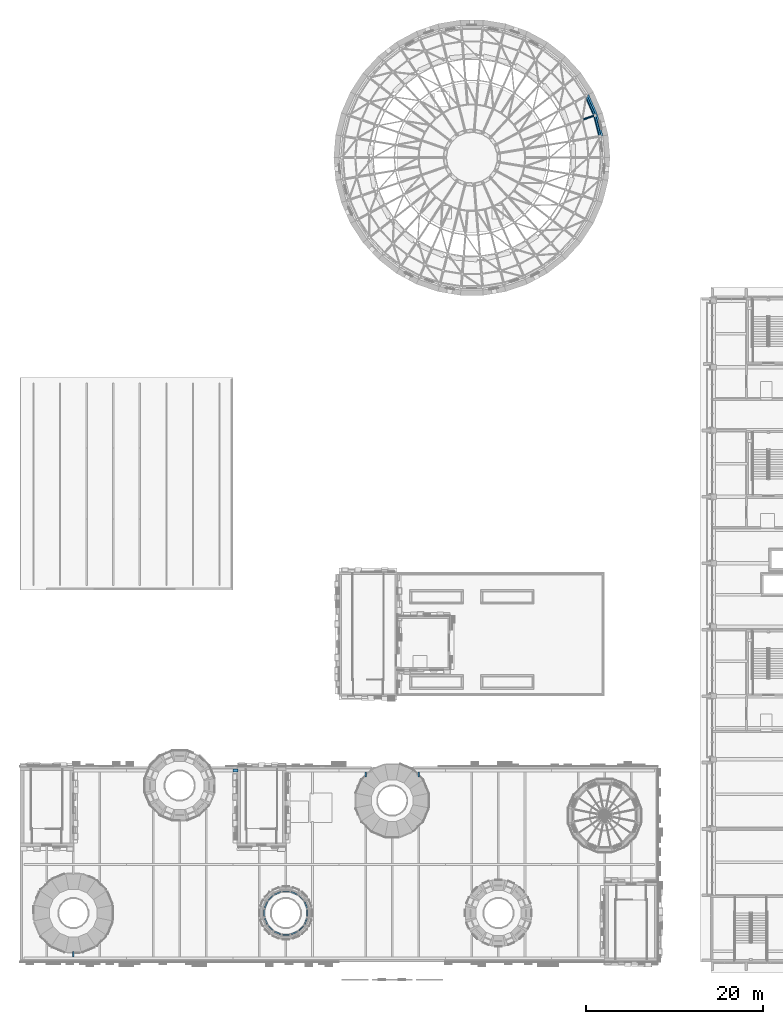
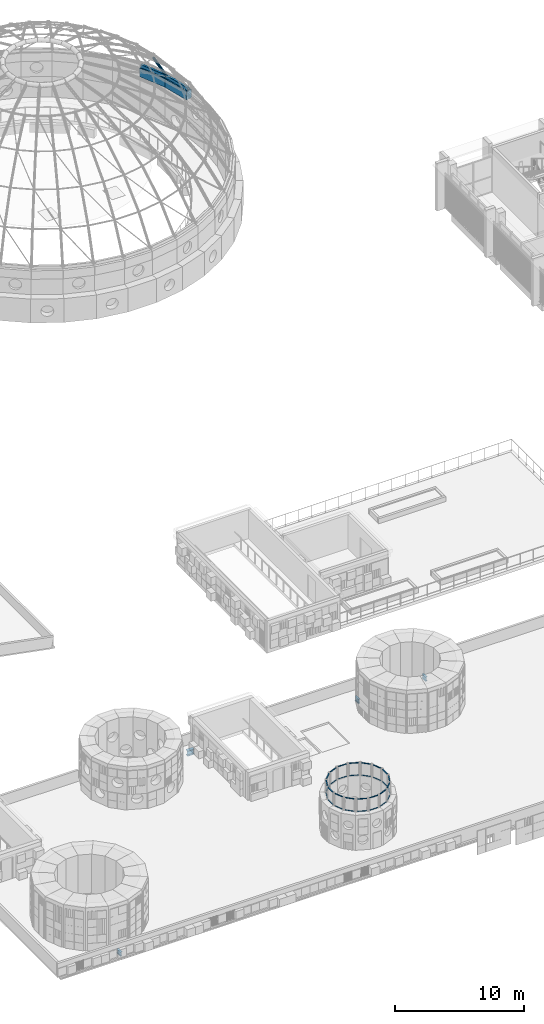
# One storey, part 40 of 98: 38 members, 3 beams, 16 elements without a shape of their own.
"""IFC4 building model written with IfcOpenShell, lengths in metres."""

from ifc_helpers import new_model, si_unit, direction, frame, origin, origin_2d, place, context, subcontext, project, spatial, rectangle, hollow_rectangle, hollow_circle, i_section, extrude, material, material_profile, profile_set, type_object, element, aggregate, save


model = new_model("IFC4")

# Units and contexts
model_context = context("Model", 3, precision=1e-05, world=origin(), true_north=direction((0.0, 1.0)))
body_context = subcontext(model_context, "Body", "Model", "MODEL_VIEW")
ifc_project = project(units=[si_unit("LENGTHUNIT", "METRE"), si_unit("AREAUNIT", "SQUARE_METRE"), si_unit("VOLUMEUNIT", "CUBIC_METRE"), si_unit("PLANEANGLEUNIT", "RADIAN"), si_unit("MASSUNIT", "GRAM", prefix="KILO")], contexts=[model_context])

# Site, building, storey
site_placement = place(None, origin())
site = spatial("IfcSite", under=ifc_project, at=site_placement, CompositionType="ELEMENT")
building_placement = place(site_placement, origin())
building = spatial("IfcBuilding", under=site, at=building_placement, Name="Sun Court Science Centre", CompositionType="ELEMENT")
storey_placement = place(building_placement, frame((0.0, 0.0, 15.75)))
storey = spatial("IfcBuildingStorey", under=building, at=storey_placement, Name="L03", CompositionType="ELEMENT", Elevation=15.75)

# Curtain wall, members
ifc_material_1 = material(Name="Aluminium EN AW-6063 T6", Category="aluminium")
curtain_wall_type = type_object("IfcCurtainWallType", Name="Lantern clerestory curtain wall 1500", PredefinedType="NOTDEFINED", material=ifc_material_1)
curtain_wall_1_placement = place(storey_placement, origin())
curtain_wall_1 = element("IfcCurtainWall", 1, at=curtain_wall_1_placement, inside=storey, type_object=curtain_wall_type, Name="Curtain wall V2 C3 clerestory L03 01", PredefinedType="NOTDEFINED")
ifc_material_2 = material(Name="Aluminium EN AW-6063 T6", Category="aluminium")
ifc_material_profile_1 = material_profile(ifc_material_2, hollow_rectangle(XDim=0.050048828125, YDim=0.10009765625, WallThickness=0.00390625, InnerFilletRadius=0.00390625, OuterFilletRadius=0.006103515625, at=origin_2d()), Name="AL 50x100x4")
ifc_profile_set_1 = profile_set([ifc_material_profile_1], Name="Aluminium EN AW-6063 T6")
member_type_1 = type_object("IfcMemberType", Name="Curtain wall transom AL 50x100", PredefinedType="USERDEFINED", material=ifc_profile_set_1)
member_1_placement = place(storey_placement, frame((32.1015625, 12.77783203125, 3.47509765625), z_axis=(0.382771969167, -0.923842854397, 0.0), x_axis=(0.0, 0.0, 1.0)))
member_1 = element("IfcMember", 2, at=member_1_placement, type_object=member_type_1, Name="CW4-33 transom 1.1", ObjectType="TRANSOM", PredefinedType="USERDEFINED", context=body_context, shape_type="SweptSolid", body=[
    extrude(hollow_rectangle(XDim=0.050048828125, YDim=0.10009765625, WallThickness=0.00390625, InnerFilletRadius=0.00390625, OuterFilletRadius=0.006103515625, at=origin_2d()), origin(), (0.0, 0.0, 1.0), 0.752685546875),
])
member_2_placement = place(storey_placement, frame((32.1015625, 12.77783203125, 4.625), z_axis=(0.382771969167, -0.923842854397, 0.0), x_axis=(0.0, 0.0, 1.0)))
member_2 = element("IfcMember", 3, at=member_2_placement, type_object=member_type_1, Name="CW4-33 transom 1.2", ObjectType="TRANSOM", PredefinedType="USERDEFINED", context=body_context, shape_type="SweptSolid", body=[
    extrude(hollow_rectangle(XDim=0.050048828125, YDim=0.10009765625, WallThickness=0.00390625, InnerFilletRadius=0.00390625, OuterFilletRadius=0.006103515625, at=origin_2d()), origin(), (0.0, 0.0, 1.0), 0.752685546875),
])
aggregate(curtain_wall_1, [member_1, member_2])

curtain_wall_2_placement = place(storey_placement, origin())
curtain_wall_2 = element("IfcCurtainWall", 4, at=curtain_wall_2_placement, inside=storey, type_object=curtain_wall_type, Name="Curtain wall V2 C3 clerestory L03 02", PredefinedType="NOTDEFINED")
member_3_placement = place(storey_placement, frame((31.45263671875, 13.48486328125, 3.47509765625), z_axis=(0.707106781187, -0.707106781187, 0.0), x_axis=(0.0, 0.0, 1.0)))
member_3 = element("IfcMember", 5, at=member_3_placement, type_object=member_type_1, Name="CW4-34 transom 1.1", ObjectType="TRANSOM", PredefinedType="USERDEFINED", context=body_context, shape_type="SweptSolid", body=[
    extrude(hollow_rectangle(XDim=0.050048828125, YDim=0.10009765625, WallThickness=0.00390625, InnerFilletRadius=0.00390625, OuterFilletRadius=0.006103515625, at=origin_2d()), origin(), (0.0, 0.0, 1.0), 0.752685546875),
])
member_4_placement = place(storey_placement, frame((31.45263671875, 13.48486328125, 4.625), z_axis=(0.707106781187, -0.707106781187, 0.0), x_axis=(0.0, 0.0, 1.0)))
member_4 = element("IfcMember", 6, at=member_4_placement, type_object=member_type_1, Name="CW4-34 transom 1.2", ObjectType="TRANSOM", PredefinedType="USERDEFINED", context=body_context, shape_type="SweptSolid", body=[
    extrude(hollow_rectangle(XDim=0.050048828125, YDim=0.10009765625, WallThickness=0.00390625, InnerFilletRadius=0.00390625, OuterFilletRadius=0.006103515625, at=origin_2d()), origin(), (0.0, 0.0, 1.0), 0.752685546875),
])
aggregate(curtain_wall_2, [member_3, member_4])

curtain_wall_3_placement = place(storey_placement, origin())
curtain_wall_3 = element("IfcCurtainWall", 7, at=curtain_wall_3_placement, inside=storey, type_object=curtain_wall_type, Name="Curtain wall V2 C3 clerestory L03 03", PredefinedType="NOTDEFINED")
member_5_placement = place(storey_placement, frame((30.58251953125, 13.8896484375, 3.47509765625), z_axis=(0.923842854397, -0.382771969167, 0.0), x_axis=(0.0, 0.0, 1.0)))
member_5 = element("IfcMember", 8, at=member_5_placement, type_object=member_type_1, Name="CW4-35 transom 1.1", ObjectType="TRANSOM", PredefinedType="USERDEFINED", context=body_context, shape_type="SweptSolid", body=[
    extrude(hollow_rectangle(XDim=0.050048828125, YDim=0.10009765625, WallThickness=0.00390625, InnerFilletRadius=0.00390625, OuterFilletRadius=0.006103515625, at=origin_2d()), origin(), (0.0, 0.0, 1.0), 0.752685546875),
])
member_6_placement = place(storey_placement, frame((30.58251953125, 13.8896484375, 4.625), z_axis=(0.923842854397, -0.382771969167, 0.0), x_axis=(0.0, 0.0, 1.0)))
member_6 = element("IfcMember", 9, at=member_6_placement, type_object=member_type_1, Name="CW4-35 transom 1.2", ObjectType="TRANSOM", PredefinedType="USERDEFINED", context=body_context, shape_type="SweptSolid", body=[
    extrude(hollow_rectangle(XDim=0.050048828125, YDim=0.10009765625, WallThickness=0.00390625, InnerFilletRadius=0.00390625, OuterFilletRadius=0.006103515625, at=origin_2d()), origin(), (0.0, 0.0, 1.0), 0.752685546875),
])
aggregate(curtain_wall_3, [member_5, member_6])

curtain_wall_4_placement = place(storey_placement, origin())
curtain_wall_4 = element("IfcCurtainWall", 10, at=curtain_wall_4_placement, inside=storey, type_object=curtain_wall_type, Name="Curtain wall V2 C3 clerestory L03 04", PredefinedType="NOTDEFINED")
member_7_placement = place(storey_placement, frame((29.623779296875, 13.9306640625, 3.47509765625), z_axis=(1.0, 0.0, 0.0), x_axis=(0.0, 0.0, 1.0)))
member_7 = element("IfcMember", 11, at=member_7_placement, type_object=member_type_1, Name="CW4-36 transom 1.1", ObjectType="TRANSOM", PredefinedType="USERDEFINED", context=body_context, shape_type="SweptSolid", body=[
    extrude(hollow_rectangle(XDim=0.050048828125, YDim=0.10009765625, WallThickness=0.00390625, InnerFilletRadius=0.00390625, OuterFilletRadius=0.006103515625, at=origin_2d()), origin(), (0.0, 0.0, 1.0), 0.75244140625),
])
member_8_placement = place(storey_placement, frame((29.623779296875, 13.9306640625, 4.625), z_axis=(1.0, 0.0, 0.0), x_axis=(0.0, 0.0, 1.0)))
member_8 = element("IfcMember", 12, at=member_8_placement, type_object=member_type_1, Name="CW4-36 transom 1.2", ObjectType="TRANSOM", PredefinedType="USERDEFINED", context=body_context, shape_type="SweptSolid", body=[
    extrude(hollow_rectangle(XDim=0.050048828125, YDim=0.10009765625, WallThickness=0.00390625, InnerFilletRadius=0.00390625, OuterFilletRadius=0.006103515625, at=origin_2d()), origin(), (0.0, 0.0, 1.0), 0.75244140625),
])
aggregate(curtain_wall_4, [member_7, member_8])

curtain_wall_5_placement = place(storey_placement, origin())
curtain_wall_5 = element("IfcCurtainWall", 13, at=curtain_wall_5_placement, inside=storey, type_object=curtain_wall_type, Name="Curtain wall V2 C3 clerestory L03 05", PredefinedType="NOTDEFINED")
member_9_placement = place(storey_placement, frame((28.72216796875, 13.6015625, 3.47509765625), z_axis=(0.923842854397, 0.382771969167, 0.0), x_axis=(0.0, 0.0, 1.0)))
member_9 = element("IfcMember", 14, at=member_9_placement, type_object=member_type_1, Name="CW4-37 transom 1.1", ObjectType="TRANSOM", PredefinedType="USERDEFINED", context=body_context, shape_type="SweptSolid", body=[
    extrude(hollow_rectangle(XDim=0.050048828125, YDim=0.10009765625, WallThickness=0.00390625, InnerFilletRadius=0.00390625, OuterFilletRadius=0.006103515625, at=origin_2d()), origin(), (0.0, 0.0, 1.0), 0.752685546875),
])
member_10_placement = place(storey_placement, frame((28.72216796875, 13.6015625, 4.625), z_axis=(0.923842854397, 0.382771969167, 0.0), x_axis=(0.0, 0.0, 1.0)))
member_10 = element("IfcMember", 15, at=member_10_placement, type_object=member_type_1, Name="CW4-37 transom 1.2", ObjectType="TRANSOM", PredefinedType="USERDEFINED", context=body_context, shape_type="SweptSolid", body=[
    extrude(hollow_rectangle(XDim=0.050048828125, YDim=0.10009765625, WallThickness=0.00390625, InnerFilletRadius=0.00390625, OuterFilletRadius=0.006103515625, at=origin_2d()), origin(), (0.0, 0.0, 1.0), 0.752685546875),
])
aggregate(curtain_wall_5, [member_9, member_10])

curtain_wall_6_placement = place(storey_placement, origin())
curtain_wall_6 = element("IfcCurtainWall", 16, at=curtain_wall_6_placement, inside=storey, type_object=curtain_wall_type, Name="Curtain wall V2 C3 clerestory L03 06", PredefinedType="NOTDEFINED")
member_11_placement = place(storey_placement, frame((28.01513671875, 12.95263671875, 3.47509765625), z_axis=(0.707106781187, 0.707106781187, 0.0), x_axis=(0.0, 0.0, 1.0)))
member_11 = element("IfcMember", 17, at=member_11_placement, type_object=member_type_1, Name="CW4-38 transom 1.1", ObjectType="TRANSOM", PredefinedType="USERDEFINED", context=body_context, shape_type="SweptSolid", body=[
    extrude(hollow_rectangle(XDim=0.050048828125, YDim=0.10009765625, WallThickness=0.00390625, InnerFilletRadius=0.00390625, OuterFilletRadius=0.006103515625, at=origin_2d()), origin(), (0.0, 0.0, 1.0), 0.752685546875),
])
member_12_placement = place(storey_placement, frame((28.01513671875, 12.95263671875, 4.625), z_axis=(0.707106781187, 0.707106781187, 0.0), x_axis=(0.0, 0.0, 1.0)))
member_12 = element("IfcMember", 18, at=member_12_placement, type_object=member_type_1, Name="CW4-38 transom 1.2", ObjectType="TRANSOM", PredefinedType="USERDEFINED", context=body_context, shape_type="SweptSolid", body=[
    extrude(hollow_rectangle(XDim=0.050048828125, YDim=0.10009765625, WallThickness=0.00390625, InnerFilletRadius=0.00390625, OuterFilletRadius=0.006103515625, at=origin_2d()), origin(), (0.0, 0.0, 1.0), 0.752685546875),
])
aggregate(curtain_wall_6, [member_11, member_12])

curtain_wall_7_placement = place(storey_placement, origin())
curtain_wall_7 = element("IfcCurtainWall", 19, at=curtain_wall_7_placement, inside=storey, type_object=curtain_wall_type, Name="Curtain wall V2 C3 clerestory L03 07", PredefinedType="NOTDEFINED")
member_13_placement = place(storey_placement, frame((27.6103515625, 12.08251953125, 3.47509765625), z_axis=(0.382771969167, 0.923842854397, 0.0), x_axis=(0.0, 0.0, 1.0)))
member_13 = element("IfcMember", 20, at=member_13_placement, type_object=member_type_1, Name="CW4-39 transom 1.1", ObjectType="TRANSOM", PredefinedType="USERDEFINED", context=body_context, shape_type="SweptSolid", body=[
    extrude(hollow_rectangle(XDim=0.050048828125, YDim=0.10009765625, WallThickness=0.00390625, InnerFilletRadius=0.00390625, OuterFilletRadius=0.006103515625, at=origin_2d()), origin(), (0.0, 0.0, 1.0), 0.752685546875),
])
member_14_placement = place(storey_placement, frame((27.6103515625, 12.08251953125, 4.625), z_axis=(0.382771969167, 0.923842854397, 0.0), x_axis=(0.0, 0.0, 1.0)))
member_14 = element("IfcMember", 21, at=member_14_placement, type_object=member_type_1, Name="CW4-39 transom 1.2", ObjectType="TRANSOM", PredefinedType="USERDEFINED", context=body_context, shape_type="SweptSolid", body=[
    extrude(hollow_rectangle(XDim=0.050048828125, YDim=0.10009765625, WallThickness=0.00390625, InnerFilletRadius=0.00390625, OuterFilletRadius=0.006103515625, at=origin_2d()), origin(), (0.0, 0.0, 1.0), 0.752685546875),
])
aggregate(curtain_wall_7, [member_13, member_14])

curtain_wall_8_placement = place(storey_placement, origin())
curtain_wall_8 = element("IfcCurtainWall", 22, at=curtain_wall_8_placement, inside=storey, type_object=curtain_wall_type, Name="Curtain wall V2 C3 clerestory L03 08", PredefinedType="NOTDEFINED")
member_15_placement = place(storey_placement, frame((27.5693359375, 11.123779296875, 3.47509765625), z_axis=(0.0, 1.0, 0.0), x_axis=(0.0, 0.0, 1.0)))
member_15 = element("IfcMember", 23, at=member_15_placement, type_object=member_type_1, Name="CW4-40 transom 1.1", ObjectType="TRANSOM", PredefinedType="USERDEFINED", context=body_context, shape_type="SweptSolid", body=[
    extrude(hollow_rectangle(XDim=0.050048828125, YDim=0.10009765625, WallThickness=0.00390625, InnerFilletRadius=0.00390625, OuterFilletRadius=0.006103515625, at=origin_2d()), origin(), (0.0, 0.0, 1.0), 0.75244140625),
])
member_16_placement = place(storey_placement, frame((27.5693359375, 11.123779296875, 4.625), z_axis=(0.0, 1.0, 0.0), x_axis=(0.0, 0.0, 1.0)))
member_16 = element("IfcMember", 24, at=member_16_placement, type_object=member_type_1, Name="CW4-40 transom 1.2", ObjectType="TRANSOM", PredefinedType="USERDEFINED", context=body_context, shape_type="SweptSolid", body=[
    extrude(hollow_rectangle(XDim=0.050048828125, YDim=0.10009765625, WallThickness=0.00390625, InnerFilletRadius=0.00390625, OuterFilletRadius=0.006103515625, at=origin_2d()), origin(), (0.0, 0.0, 1.0), 0.75244140625),
])
aggregate(curtain_wall_8, [member_15, member_16])

curtain_wall_9_placement = place(storey_placement, origin())
curtain_wall_9 = element("IfcCurtainWall", 25, at=curtain_wall_9_placement, inside=storey, type_object=curtain_wall_type, Name="Curtain wall V2 C3 clerestory L03 09", PredefinedType="NOTDEFINED")
member_17_placement = place(storey_placement, frame((27.8984375, 10.22216796875, 3.47509765625), z_axis=(-0.382771969167, 0.923842854397, 0.0), x_axis=(0.0, 0.0, 1.0)))
member_17 = element("IfcMember", 26, at=member_17_placement, type_object=member_type_1, Name="CW4-41 transom 1.1", ObjectType="TRANSOM", PredefinedType="USERDEFINED", context=body_context, shape_type="SweptSolid", body=[
    extrude(hollow_rectangle(XDim=0.050048828125, YDim=0.10009765625, WallThickness=0.00390625, InnerFilletRadius=0.00390625, OuterFilletRadius=0.006103515625, at=origin_2d()), origin(), (0.0, 0.0, 1.0), 0.752685546875),
])
member_18_placement = place(storey_placement, frame((27.8984375, 10.22216796875, 4.625), z_axis=(-0.382771969167, 0.923842854397, 0.0), x_axis=(0.0, 0.0, 1.0)))
member_18 = element("IfcMember", 27, at=member_18_placement, type_object=member_type_1, Name="CW4-41 transom 1.2", ObjectType="TRANSOM", PredefinedType="USERDEFINED", context=body_context, shape_type="SweptSolid", body=[
    extrude(hollow_rectangle(XDim=0.050048828125, YDim=0.10009765625, WallThickness=0.00390625, InnerFilletRadius=0.00390625, OuterFilletRadius=0.006103515625, at=origin_2d()), origin(), (0.0, 0.0, 1.0), 0.752685546875),
])
aggregate(curtain_wall_9, [member_17, member_18])

curtain_wall_10_placement = place(storey_placement, origin())
curtain_wall_10 = element("IfcCurtainWall", 28, at=curtain_wall_10_placement, inside=storey, type_object=curtain_wall_type, Name="Curtain wall V2 C3 clerestory L03 10", PredefinedType="NOTDEFINED")
member_19_placement = place(storey_placement, frame((28.54736328125, 9.51513671875, 3.47509765625), z_axis=(-0.707106781187, 0.707106781187, 0.0), x_axis=(0.0, 0.0, 1.0)))
member_19 = element("IfcMember", 29, at=member_19_placement, type_object=member_type_1, Name="CW4-42 transom 1.1", ObjectType="TRANSOM", PredefinedType="USERDEFINED", context=body_context, shape_type="SweptSolid", body=[
    extrude(hollow_rectangle(XDim=0.050048828125, YDim=0.10009765625, WallThickness=0.00390625, InnerFilletRadius=0.00390625, OuterFilletRadius=0.006103515625, at=origin_2d()), origin(), (0.0, 0.0, 1.0), 0.752685546875),
])
member_20_placement = place(storey_placement, frame((28.54736328125, 9.51513671875, 4.625), z_axis=(-0.707106781187, 0.707106781187, 0.0), x_axis=(0.0, 0.0, 1.0)))
member_20 = element("IfcMember", 30, at=member_20_placement, type_object=member_type_1, Name="CW4-42 transom 1.2", ObjectType="TRANSOM", PredefinedType="USERDEFINED", context=body_context, shape_type="SweptSolid", body=[
    extrude(hollow_rectangle(XDim=0.050048828125, YDim=0.10009765625, WallThickness=0.00390625, InnerFilletRadius=0.00390625, OuterFilletRadius=0.006103515625, at=origin_2d()), origin(), (0.0, 0.0, 1.0), 0.752685546875),
])
aggregate(curtain_wall_10, [member_19, member_20])

curtain_wall_11_placement = place(storey_placement, origin())
curtain_wall_11 = element("IfcCurtainWall", 31, at=curtain_wall_11_placement, inside=storey, type_object=curtain_wall_type, Name="Curtain wall V2 C3 clerestory L03 11", PredefinedType="NOTDEFINED")
member_21_placement = place(storey_placement, frame((29.41748046875, 9.1103515625, 3.47509765625), z_axis=(-0.923842854397, 0.382771969167, 0.0), x_axis=(0.0, 0.0, 1.0)))
member_21 = element("IfcMember", 32, at=member_21_placement, type_object=member_type_1, Name="CW4-43 transom 1.1", ObjectType="TRANSOM", PredefinedType="USERDEFINED", context=body_context, shape_type="SweptSolid", body=[
    extrude(hollow_rectangle(XDim=0.050048828125, YDim=0.10009765625, WallThickness=0.00390625, InnerFilletRadius=0.00390625, OuterFilletRadius=0.006103515625, at=origin_2d()), origin(), (0.0, 0.0, 1.0), 0.752685546875),
])
member_22_placement = place(storey_placement, frame((29.41748046875, 9.1103515625, 4.625), z_axis=(-0.923842854397, 0.382771969167, 0.0), x_axis=(0.0, 0.0, 1.0)))
member_22 = element("IfcMember", 33, at=member_22_placement, type_object=member_type_1, Name="CW4-43 transom 1.2", ObjectType="TRANSOM", PredefinedType="USERDEFINED", context=body_context, shape_type="SweptSolid", body=[
    extrude(hollow_rectangle(XDim=0.050048828125, YDim=0.10009765625, WallThickness=0.00390625, InnerFilletRadius=0.00390625, OuterFilletRadius=0.006103515625, at=origin_2d()), origin(), (0.0, 0.0, 1.0), 0.752685546875),
])
aggregate(curtain_wall_11, [member_21, member_22])

curtain_wall_12_placement = place(storey_placement, origin())
curtain_wall_12 = element("IfcCurtainWall", 34, at=curtain_wall_12_placement, inside=storey, type_object=curtain_wall_type, Name="Curtain wall V2 C3 clerestory L03 12", PredefinedType="NOTDEFINED")
member_23_placement = place(storey_placement, frame((30.376220703125, 9.0693359375, 3.47509765625), z_axis=(-1.0, 0.0, 0.0), x_axis=(0.0, 0.0, 1.0)))
member_23 = element("IfcMember", 35, at=member_23_placement, type_object=member_type_1, Name="CW4-44 transom 1.1", ObjectType="TRANSOM", PredefinedType="USERDEFINED", context=body_context, shape_type="SweptSolid", body=[
    extrude(hollow_rectangle(XDim=0.050048828125, YDim=0.10009765625, WallThickness=0.00390625, InnerFilletRadius=0.00390625, OuterFilletRadius=0.006103515625, at=origin_2d()), origin(), (0.0, 0.0, 1.0), 0.75244140625),
])
member_24_placement = place(storey_placement, frame((30.376220703125, 9.0693359375, 4.625), z_axis=(-1.0, 0.0, 0.0), x_axis=(0.0, 0.0, 1.0)))
member_24 = element("IfcMember", 36, at=member_24_placement, type_object=member_type_1, Name="CW4-44 transom 1.2", ObjectType="TRANSOM", PredefinedType="USERDEFINED", context=body_context, shape_type="SweptSolid", body=[
    extrude(hollow_rectangle(XDim=0.050048828125, YDim=0.10009765625, WallThickness=0.00390625, InnerFilletRadius=0.00390625, OuterFilletRadius=0.006103515625, at=origin_2d()), origin(), (0.0, 0.0, 1.0), 0.75244140625),
])
aggregate(curtain_wall_12, [member_23, member_24])

curtain_wall_13_placement = place(storey_placement, origin())
curtain_wall_13 = element("IfcCurtainWall", 37, at=curtain_wall_13_placement, inside=storey, type_object=curtain_wall_type, Name="Curtain wall V2 C3 clerestory L03 13", PredefinedType="NOTDEFINED")
member_25_placement = place(storey_placement, frame((31.27783203125, 9.3984375, 3.47509765625), z_axis=(-0.923842854397, -0.382771969167, 0.0), x_axis=(0.0, 0.0, 1.0)))
member_25 = element("IfcMember", 38, at=member_25_placement, type_object=member_type_1, Name="CW4-45 transom 1.1", ObjectType="TRANSOM", PredefinedType="USERDEFINED", context=body_context, shape_type="SweptSolid", body=[
    extrude(hollow_rectangle(XDim=0.050048828125, YDim=0.10009765625, WallThickness=0.00390625, InnerFilletRadius=0.00390625, OuterFilletRadius=0.006103515625, at=origin_2d()), origin(), (0.0, 0.0, 1.0), 0.752685546875),
])
member_26_placement = place(storey_placement, frame((31.27783203125, 9.3984375, 4.625), z_axis=(-0.923842854397, -0.382771969167, 0.0), x_axis=(0.0, 0.0, 1.0)))
member_26 = element("IfcMember", 39, at=member_26_placement, type_object=member_type_1, Name="CW4-45 transom 1.2", ObjectType="TRANSOM", PredefinedType="USERDEFINED", context=body_context, shape_type="SweptSolid", body=[
    extrude(hollow_rectangle(XDim=0.050048828125, YDim=0.10009765625, WallThickness=0.00390625, InnerFilletRadius=0.00390625, OuterFilletRadius=0.006103515625, at=origin_2d()), origin(), (0.0, 0.0, 1.0), 0.752685546875),
])
aggregate(curtain_wall_13, [member_25, member_26])

curtain_wall_14_placement = place(storey_placement, origin())
curtain_wall_14 = element("IfcCurtainWall", 40, at=curtain_wall_14_placement, inside=storey, type_object=curtain_wall_type, Name="Curtain wall V2 C3 clerestory L03 14", PredefinedType="NOTDEFINED")
member_27_placement = place(storey_placement, frame((31.98486328125, 10.04736328125, 3.47509765625), z_axis=(-0.707106781187, -0.707106781187, 0.0), x_axis=(0.0, 0.0, 1.0)))
member_27 = element("IfcMember", 41, at=member_27_placement, type_object=member_type_1, Name="CW4-46 transom 1.1", ObjectType="TRANSOM", PredefinedType="USERDEFINED", context=body_context, shape_type="SweptSolid", body=[
    extrude(hollow_rectangle(XDim=0.050048828125, YDim=0.10009765625, WallThickness=0.00390625, InnerFilletRadius=0.00390625, OuterFilletRadius=0.006103515625, at=origin_2d()), origin(), (0.0, 0.0, 1.0), 0.752685546875),
])
member_28_placement = place(storey_placement, frame((31.98486328125, 10.04736328125, 4.625), z_axis=(-0.707106781187, -0.707106781187, 0.0), x_axis=(0.0, 0.0, 1.0)))
member_28 = element("IfcMember", 42, at=member_28_placement, type_object=member_type_1, Name="CW4-46 transom 1.2", ObjectType="TRANSOM", PredefinedType="USERDEFINED", context=body_context, shape_type="SweptSolid", body=[
    extrude(hollow_rectangle(XDim=0.050048828125, YDim=0.10009765625, WallThickness=0.00390625, InnerFilletRadius=0.00390625, OuterFilletRadius=0.006103515625, at=origin_2d()), origin(), (0.0, 0.0, 1.0), 0.752685546875),
])
aggregate(curtain_wall_14, [member_27, member_28])

curtain_wall_15_placement = place(storey_placement, origin())
curtain_wall_15 = element("IfcCurtainWall", 43, at=curtain_wall_15_placement, inside=storey, type_object=curtain_wall_type, Name="Curtain wall V2 C3 clerestory L03 15", PredefinedType="NOTDEFINED")
member_29_placement = place(storey_placement, frame((32.3896484375, 10.91748046875, 3.47509765625), z_axis=(-0.382771969167, -0.923842854397, 0.0), x_axis=(0.0, 0.0, 1.0)))
member_29 = element("IfcMember", 44, at=member_29_placement, type_object=member_type_1, Name="CW4-47 transom 1.1", ObjectType="TRANSOM", PredefinedType="USERDEFINED", context=body_context, shape_type="SweptSolid", body=[
    extrude(hollow_rectangle(XDim=0.050048828125, YDim=0.10009765625, WallThickness=0.00390625, InnerFilletRadius=0.00390625, OuterFilletRadius=0.006103515625, at=origin_2d()), origin(), (0.0, 0.0, 1.0), 0.752685546875),
])
member_30_placement = place(storey_placement, frame((32.3896484375, 10.91748046875, 4.625), z_axis=(-0.382771969167, -0.923842854397, 0.0), x_axis=(0.0, 0.0, 1.0)))
member_30 = element("IfcMember", 45, at=member_30_placement, type_object=member_type_1, Name="CW4-47 transom 1.2", ObjectType="TRANSOM", PredefinedType="USERDEFINED", context=body_context, shape_type="SweptSolid", body=[
    extrude(hollow_rectangle(XDim=0.050048828125, YDim=0.10009765625, WallThickness=0.00390625, InnerFilletRadius=0.00390625, OuterFilletRadius=0.006103515625, at=origin_2d()), origin(), (0.0, 0.0, 1.0), 0.752685546875),
])
aggregate(curtain_wall_15, [member_29, member_30])

curtain_wall_16_placement = place(storey_placement, origin())
curtain_wall_16 = element("IfcCurtainWall", 46, at=curtain_wall_16_placement, inside=storey, type_object=curtain_wall_type, Name="Curtain wall V2 C3 clerestory L03 16", PredefinedType="NOTDEFINED")
member_31_placement = place(storey_placement, frame((32.4306640625, 11.876220703125, 3.47509765625), z_axis=(0.0, -1.0, 0.0), x_axis=(0.0, 0.0, 1.0)))
member_31 = element("IfcMember", 47, at=member_31_placement, type_object=member_type_1, Name="CW4-48 transom 1.1", ObjectType="TRANSOM", PredefinedType="USERDEFINED", context=body_context, shape_type="SweptSolid", body=[
    extrude(hollow_rectangle(XDim=0.050048828125, YDim=0.10009765625, WallThickness=0.00390625, InnerFilletRadius=0.00390625, OuterFilletRadius=0.006103515625, at=origin_2d()), origin(), (0.0, 0.0, 1.0), 0.75244140625),
])
member_32_placement = place(storey_placement, frame((32.4306640625, 11.876220703125, 4.625), z_axis=(0.0, -1.0, 0.0), x_axis=(0.0, 0.0, 1.0)))
member_32 = element("IfcMember", 48, at=member_32_placement, type_object=member_type_1, Name="CW4-48 transom 1.2", ObjectType="TRANSOM", PredefinedType="USERDEFINED", context=body_context, shape_type="SweptSolid", body=[
    extrude(hollow_rectangle(XDim=0.050048828125, YDim=0.10009765625, WallThickness=0.00390625, InnerFilletRadius=0.00390625, OuterFilletRadius=0.006103515625, at=origin_2d()), origin(), (0.0, 0.0, 1.0), 0.75244140625),
])
aggregate(curtain_wall_16, [member_31, member_32])

# Members
ifc_material_3 = material(Name="Steel S355", Category="steel")
ifc_material_profile_2 = material_profile(ifc_material_3, hollow_circle(Radius=0.109619140625, WallThickness=0.010009765625, at=origin_2d()), Name="CHS 219.1x10")
ifc_profile_set_2 = profile_set([ifc_material_profile_2], Name="Steel S355")
member_type_2 = type_object("IfcMemberType", Name="Dome rib CHS 219.1x10", PredefinedType="RAFTER", material=ifc_profile_set_2)
member_33_placement = place(storey_placement, frame((64.90234375, 101.57275390625, 4.35009765625), z_axis=(-0.489620977402, -0.168118377871, 0.855574374037), x_axis=(0.324753528626, -0.945798681351, 0.0)))
element("IfcMember", 49, at=member_33_placement, inside=storey, type_object=member_type_2, Name="Dome rib 2", PredefinedType="RAFTER", context=body_context, shape_type="SweptSolid", body=[
    extrude(hollow_circle(Radius=0.109619140625, WallThickness=0.010009765625, at=origin_2d()), origin(), (0.0, 0.0, 1.0), 2.949462890625),
])
ifc_material_4 = material(Name="Steel S355", Category="steel")
ifc_material_profile_3 = material_profile(ifc_material_4, hollow_rectangle(XDim=0.199951171875, YDim=0.300048828125, WallThickness=0.012451171875, InnerFilletRadius=0.012451171875, OuterFilletRadius=0.018798828125, at=origin_2d()), Name="RHS 300x200x12.5")
ifc_profile_set_3 = profile_set([ifc_material_profile_3], Name="Steel S355")
member_type_3 = type_object("IfcMemberType", Name="Dome tension ring RHS 300x200x12.5", PredefinedType="MEMBER", material=ifc_profile_set_3)
member_34_placement = place(storey_placement, frame((65.498291015625, 99.21923828125, 4.35009765625), z_axis=(-0.245468520402, 0.969404562343, 0.0), x_axis=(-0.969404562343, -0.245468520402, 0.0)))
element("IfcMember", 50, at=member_34_placement, inside=storey, type_object=member_type_3, Name="Dome tension ring 1", PredefinedType="MEMBER", context=body_context, shape_type="SweptSolid", body=[
    extrude(hollow_rectangle(XDim=0.199951171875, YDim=0.300048828125, WallThickness=0.012451171875, InnerFilletRadius=0.012451171875, OuterFilletRadius=0.018798828125, at=origin_2d()), origin(), (0.0, 0.0, 1.0), 2.427734375),
])
member_35_placement = place(storey_placement, frame((64.90234375, 101.57275390625, 4.35009765625), z_axis=(-0.401673332829, 0.91578301671, 0.0), x_axis=(-0.91578301671, -0.401673332829, 0.0)))
element("IfcMember", 51, at=member_35_placement, inside=storey, type_object=member_type_3, Name="Dome tension ring 2", PredefinedType="MEMBER", context=body_context, shape_type="SweptSolid", body=[
    extrude(hollow_rectangle(XDim=0.199951171875, YDim=0.300048828125, WallThickness=0.012451171875, InnerFilletRadius=0.012451171875, OuterFilletRadius=0.018798828125, at=origin_2d()), origin(), (0.0, 0.0, 1.0), 2.427490234375),
])

# Beams
ifc_material_5 = material(Name="Concrete C25/30", Category="concrete")
ifc_material_profile_4 = material_profile(ifc_material_5, rectangle(XDim=0.5, YDim=0.800048828125, at=origin_2d()), Name="RC 500x800")
ifc_profile_set_4 = profile_set([ifc_material_profile_4], Name="Concrete C25/30")
beam_type_1 = type_object("IfcBeamType", Name="RC girder 500x800", PredefinedType="BEAM", material=ifc_profile_set_4)
beam_1_placement = place(storey_placement, frame((65.548095703125, 99.2275390625, 3.800048828125), z_axis=(-0.245529158893, 0.969389205703, 0.0), x_axis=(-0.969389205703, -0.245529158893, 0.0)))
element("IfcBeam", 52, at=beam_1_placement, inside=storey, type_object=beam_type_1, Name="Drum ring beam 1", PredefinedType="BEAM", context=body_context, shape_type="SweptSolid", body=[
    extrude(rectangle(XDim=0.5, YDim=0.800048828125, at=origin_2d()), origin(), (0.0, 0.0, 1.0), 2.43603515625),
])
beam_2_placement = place(storey_placement, frame((64.949951171875, 101.589111328125, 3.800048828125), z_axis=(-0.401707209598, 0.915768157209, 0.0), x_axis=(-0.915768157209, -0.401707209598, 0.0)))
element("IfcBeam", 53, at=beam_2_placement, inside=storey, type_object=beam_type_1, Name="Drum ring beam 2", PredefinedType="BEAM", context=body_context, shape_type="SweptSolid", body=[
    extrude(rectangle(XDim=0.5, YDim=0.800048828125, at=origin_2d()), origin(), (0.0, 0.0, 1.0), 2.435791015625),
])

# Members
ifc_material_6 = material(Name="Steel S275", Category="steel")
ifc_material_profile_5 = material_profile(ifc_material_6, i_section(OverallWidth=0.179931640625, OverallDepth=0.39990234375, WebThickness=0.008544921875, FlangeThickness=0.013427734375, FilletRadius=0.02099609375, at=origin_2d()), Name="IPE 400")
ifc_profile_set_5 = profile_set([ifc_material_profile_5], Name="Steel S275")
member_type_4 = type_object("IfcMemberType", Name="Roof purlin IPE 400", PredefinedType="PURLIN", material=ifc_profile_set_5)
member_36_placement = place(storey_placement, frame((6.0, 6.550048828125, -0.35009765625), z_axis=(0.0, 1.0, 0.0), x_axis=(-1.0, 0.0, 0.0)))
element("IfcMember", 54, at=member_36_placement, inside=storey, type_object=member_type_4, Name="Roof purlin", PredefinedType="PURLIN", context=body_context, shape_type="SweptSolid", body=[
    extrude(i_section(OverallWidth=0.179931640625, OverallDepth=0.39990234375, WebThickness=0.008544921875, FlangeThickness=0.013427734375, FilletRadius=0.02099609375, at=origin_2d()), origin(), (0.0, 0.0, 1.0), 0.58740234375),
])
for number, where, z_axis, x_axis, name in (
    (55, (39.0, 26.884033203125, -0.35009765625), (0.0, 1.0, 0.0), (-1.0, 0.0, 0.0), "Roof purlin"),
    (56, (45.0, 26.884033203125, -0.35009765625), (0.0, 1.0, 0.0), (-1.0, 0.0, 0.0), "Roof purlin"),
):
    element("IfcMember", number, at=place(storey_placement, frame(where, z_axis=z_axis, x_axis=x_axis)), inside=storey, type_object=member_type_4, Name=name, PredefinedType="PURLIN", context=body_context, shape_type="SweptSolid", body=[
        extrude(i_section(OverallWidth=0.179931640625, OverallDepth=0.39990234375, WebThickness=0.008544921875, FlangeThickness=0.013427734375, FilletRadius=0.02099609375, at=origin_2d()), origin(), (0.0, 0.0, 1.0), 0.56591796875),
    ])

# Beam
ifc_material_7 = material(Name="Steel S355", Category="steel")
ifc_material_profile_6 = material_profile(ifc_material_7, i_section(OverallWidth=0.300048828125, OverallDepth=0.489990234375, WebThickness=0.011962890625, FlangeThickness=0.02294921875, FilletRadius=0.027099609375, at=origin_2d()), Name="HEA 500")
ifc_profile_set_6 = profile_set([ifc_material_profile_6], Name="Steel S355")
beam_type_2 = type_object("IfcBeamType", Name="Steel beam HEA 500", PredefinedType="BEAM", material=ifc_profile_set_6)
beam_3_placement = place(storey_placement, frame((24.0009765625, 27.60009765625, -0.39501953125), z_axis=(1.0, 0.0, 0.0), x_axis=(0.0, 1.0, 0.0)))
element("IfcBeam", 57, at=beam_3_placement, inside=storey, type_object=beam_type_2, Name="Roof girder line 3", PredefinedType="BEAM", context=body_context, shape_type="SweptSolid", body=[
    extrude(i_section(OverallWidth=0.300048828125, OverallDepth=0.489990234375, WebThickness=0.011962890625, FlangeThickness=0.02294921875, FilletRadius=0.027099609375, at=origin_2d()), origin(), (0.0, 0.0, 1.0), 0.59912109375),
])

save(model, "model.ifc")
